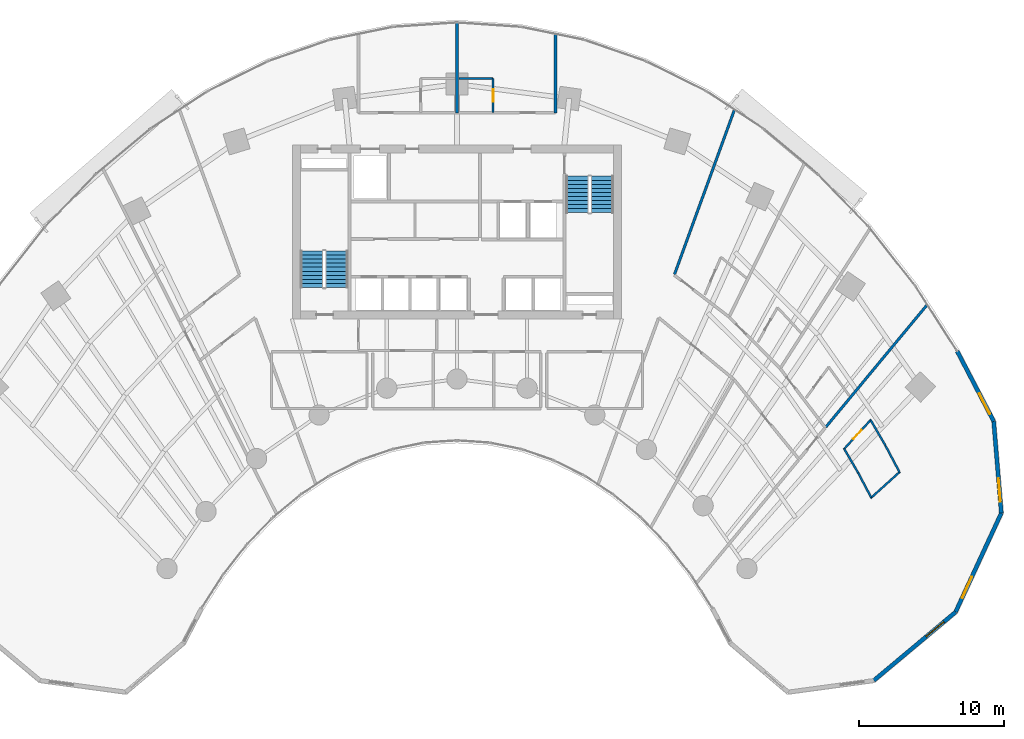
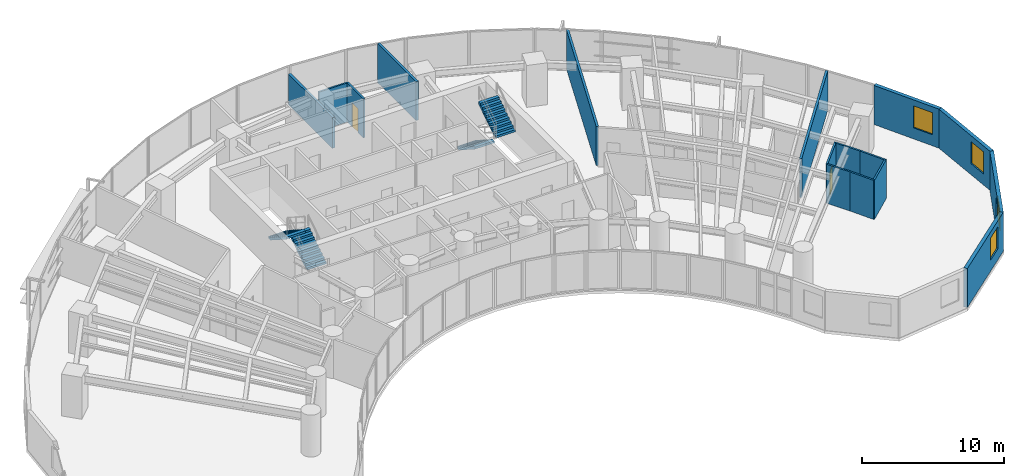
# One storey, part 14 of 17: 16 walls, 4 stair flights, 4 windows, 2 doors, 6 openings, 2 elements without a shape of their own.
"""IFC4 building model written with IfcOpenShell, lengths in metres."""

from ifc_helpers import new_model, si_unit, direction, frame, frame_2d, origin, place, context, subcontext, project, spatial, polyline, rectangle, outline, extrude, source, transform, mapped, material, layer, layer_set, type_object, type_shapes, element, fill, aggregate, save


model = new_model("IFC4")

# Units and contexts
model_context = context("Model", 3, precision=1e-05, world=origin(), true_north=direction((0.0, 1.0)))
body_context = subcontext(model_context, "Body", "Model", "MODEL_VIEW")
ifc_project = project(units=[si_unit("LENGTHUNIT", "METRE"), si_unit("AREAUNIT", "SQUARE_METRE"), si_unit("VOLUMEUNIT", "CUBIC_METRE"), si_unit("PLANEANGLEUNIT", "RADIAN"), si_unit("MASSUNIT", "GRAM", prefix="KILO")], contexts=[model_context])

# Site, building, storey
site_placement = place(None, origin())
site = spatial("IfcSite", under=ifc_project, at=site_placement, CompositionType="ELEMENT")
building_placement = place(site_placement, origin())
building = spatial("IfcBuilding", under=site, at=building_placement, Name="Breltana Convention Tower", CompositionType="ELEMENT")
storey_placement = place(building_placement, frame((0.0, 0.0, 60.60009765625)))
storey = spatial("IfcBuildingStorey", under=building, at=storey_placement, Name="L13", CompositionType="ELEMENT", Elevation=60.60009765625)

# Wall, opening, window
ifc_material_1 = material(Name="Limestone Buff Insulated Wall", Category="masonry")
ifc_layer_1 = layer(ifc_material_1, 0.280029296875, Name="Limestone Buff Insulated Wall")
ifc_layer_set_1 = layer_set([ifc_layer_1], Name="Limestone Buff Insulated Wall")
wall_type_1 = type_object("IfcWallType", Name="WL-EXT-NOSE-280", PredefinedType="SOLIDWALL", material=ifc_layer_set_1)
shared_shape_1 = source(origin(), body_context, "Body", "SweptSolid", [
    extrude(rectangle(XDim=6.3525390625, YDim=0.280029296875, at=frame_2d((3.17626953125, 0.0))), origin(), (0.0, 0.0, 1.0), 3.35986328125),
])
wall_1_placement = place(storey_placement, frame((85.052978515625, 53.1220703125, 0.0), z_axis=(0.0, 0.0, 1.0), x_axis=(0.083319001377, -0.996522926986, 0.0)))
wall_1 = element("IfcWall", 1, at=wall_1_placement, inside=storey, type_object=wall_type_1, Name="L13 curved limestone nose wall E1", PredefinedType="SOLIDWALL", context=body_context, shape_type="MappedRepresentation", body=[
    mapped(shared_shape_1, transform((0.0, 0.0, 0.0), scale=1.0)),
])
opening_1_placement = place(wall_1_placement, frame((3.96435546875, 0.0, 0.949951171875)))
opening_1 = element("IfcOpeningElement", 2, at=opening_1_placement, cuts=wall_1, Name="Opening W-04", PredefinedType="OPENING", context=body_context, shape_type="SweptSolid", body=[
    extrude(rectangle(XDim=1.60009765625, YDim=1.89990234375, at=frame_2d((0.800048828125, 0.949951171875))), frame((0.0, 0.14990234375, 0.0), z_axis=(0.0, -1.0, 0.0), x_axis=(1.0, 0.0, 0.0)), (0.0, 0.0, 1.0), 0.300048828125),
])
ifc_material_2 = material(Name="Glass Low-E Insulated Window", Category="glass")
window_type = type_object("IfcWindowType", Name="WN-NOSE-1600X1900", PartitioningType="SINGLE_PANEL", PredefinedType="WINDOW", material=ifc_material_2)
shared_shape_2 = source(origin(), body_context, "Body", "SweptSolid", [
    extrude(rectangle(XDim=1.60009765625, YDim=1.89990234375, at=frame_2d((0.800048828125, 0.949951171875))), frame((0.0, 0.030029296875, 0.0), z_axis=(0.0, -1.0, 0.0), x_axis=(1.0, 0.0, 0.0)), (0.0, 0.0, 1.0), 0.06005859375),
])
type_shapes(window_type, [shared_shape_2])
window_1_placement = place(opening_1_placement, origin())
window_1 = element("IfcWindow", 3, at=window_1_placement, inside=storey, type_object=window_type, Name="L13 nose window E1", OverallHeight=1.89990234375, OverallWidth=1.60009765625, PartitioningType="SINGLE_PANEL", PredefinedType="WINDOW", context=body_context, shape_type="MappedRepresentation", body=[
    mapped(shared_shape_2, transform((0.0, 0.0, 0.0), scale=1.0)),
])
fill(opening_1, window_1)

shared_shape_3 = source(origin(), body_context, "Body", "SweptSolid", [
    extrude(rectangle(XDim=7.536376953125, YDim=0.280029296875, at=frame_2d((3.76806640625, 0.0))), origin(), (0.0, 0.0, 1.0), 3.35986328125),
])
wall_2_placement = place(storey_placement, frame((85.582275390625, 46.79150390625, 0.0), z_axis=(0.0, 0.0, 1.0), x_axis=(-0.41964973873, -0.907686122393, 0.0)))
wall_2 = element("IfcWall", 4, at=wall_2_placement, inside=storey, type_object=wall_type_1, Name="L13 curved limestone nose wall E2", PredefinedType="SOLIDWALL", context=body_context, shape_type="MappedRepresentation", body=[
    mapped(shared_shape_3, transform((0.0, 0.0, 0.0), scale=1.0)),
])
opening_2_placement = place(wall_2_placement, frame((4.852294921875, 0.0, 0.949951171875)))
opening_2 = element("IfcOpeningElement", 5, at=opening_2_placement, cuts=wall_2, Name="Opening W-04", PredefinedType="OPENING", context=body_context, shape_type="SweptSolid", body=[
    extrude(rectangle(XDim=1.60009765625, YDim=1.89990234375, at=frame_2d((0.800048828125, 0.949951171875))), frame((0.0, 0.14990234375, 0.0), z_axis=(0.0, -1.0, 0.0), x_axis=(1.0, 0.0, 0.0)), (0.0, 0.0, 1.0), 0.300048828125),
])
window_2_placement = place(opening_2_placement, origin())
window_2 = element("IfcWindow", 6, at=window_2_placement, inside=storey, type_object=window_type, Name="L13 nose window E2", OverallHeight=1.89990234375, OverallWidth=1.60009765625, PartitioningType="SINGLE_PANEL", PredefinedType="WINDOW", context=body_context, shape_type="MappedRepresentation", body=[
    mapped(shared_shape_2, transform((0.0, 0.0, 0.0), scale=1.0)),
])
fill(opening_2, window_2)

shared_shape_4 = source(origin(), body_context, "Body", "SweptSolid", [
    extrude(rectangle(XDim=7.35888671875, YDim=0.280029296875, at=frame_2d((3.679443359375, 0.0))), origin(), (0.0, 0.0, 1.0), 3.35986328125),
])
wall_3_placement = place(storey_placement, frame((82.419677734375, 39.950927734375, 0.0), z_axis=(0.0, 0.0, 1.0), x_axis=(-0.766737165543, -0.641961150675, 0.0)))
wall_3 = element("IfcWall", 7, at=wall_3_placement, inside=storey, type_object=wall_type_1, Name="L13 curved limestone nose wall E3", PredefinedType="SOLIDWALL", context=body_context, shape_type="MappedRepresentation", body=[
    mapped(shared_shape_4, transform((0.0, 0.0, 0.0), scale=1.0)),
])
opening_3_placement = place(wall_3_placement, frame((1.039794921875, 0.0, 0.949951171875)))
opening_3 = element("IfcOpeningElement", 8, at=opening_3_placement, cuts=wall_3, Name="Opening W-04", PredefinedType="OPENING", context=body_context, shape_type="SweptSolid", body=[
    extrude(rectangle(XDim=1.60009765625, YDim=1.89990234375, at=frame_2d((0.800048828125, 0.949951171875))), frame((0.0, 0.14990234375, 0.0), z_axis=(0.0, -1.0, 0.0), x_axis=(1.0, 0.0, 0.0)), (0.0, 0.0, 1.0), 0.300048828125),
])
window_3_placement = place(opening_3_placement, origin())
window_3 = element("IfcWindow", 9, at=window_3_placement, inside=storey, type_object=window_type, Name="L13 nose window E3", OverallHeight=1.89990234375, OverallWidth=1.60009765625, PartitioningType="SINGLE_PANEL", PredefinedType="WINDOW", context=body_context, shape_type="MappedRepresentation", body=[
    mapped(shared_shape_2, transform((0.0, 0.0, 0.0), scale=1.0)),
])
fill(opening_3, window_3)

shared_shape_5 = source(origin(), body_context, "Body", "SweptSolid", [
    extrude(rectangle(XDim=5.45947265625, YDim=0.280029296875, at=frame_2d((2.729736328125, 0.0))), origin(), (0.0, 0.0, 1.0), 3.35986328125),
])
wall_4_placement = place(storey_placement, frame((82.531982421875, 57.964599609375, 0.0), z_axis=(0.0, 0.0, 1.0), x_axis=(0.461768054321, -0.887000712518, 0.0)))
wall_4 = element("IfcWall", 10, at=wall_4_placement, inside=storey, type_object=wall_type_1, Name="L13 curved limestone nose wall E7", PredefinedType="SOLIDWALL", context=body_context, shape_type="MappedRepresentation", body=[
    mapped(shared_shape_5, transform((0.0, 0.0, 0.0), scale=1.0)),
])
opening_4_placement = place(wall_4_placement, frame((3.294677734375, 0.0, 0.949951171875)))
opening_4 = element("IfcOpeningElement", 11, at=opening_4_placement, cuts=wall_4, Name="Opening W-04", PredefinedType="OPENING", context=body_context, shape_type="SweptSolid", body=[
    extrude(rectangle(XDim=1.60009765625, YDim=1.89990234375, at=frame_2d((0.800048828125, 0.949951171875))), frame((0.0, 0.14990234375, 0.0), z_axis=(0.0, -1.0, 0.0), x_axis=(1.0, 0.0, 0.0)), (0.0, 0.0, 1.0), 0.300048828125),
])
window_4_placement = place(opening_4_placement, origin())
window_4 = element("IfcWindow", 12, at=window_4_placement, inside=storey, type_object=window_type, Name="L13 nose window E7", OverallHeight=1.89990234375, OverallWidth=1.60009765625, PartitioningType="SINGLE_PANEL", PredefinedType="WINDOW", context=body_context, shape_type="MappedRepresentation", body=[
    mapped(shared_shape_2, transform((0.0, 0.0, 0.0), scale=1.0)),
])
fill(opening_4, window_4)

# Walls
ifc_material_3 = material(Name="Gypsum Acoustic Hotel Wall")
ifc_layer_2 = layer(ifc_material_3, 0.195068359375, Name="Gypsum Acoustic Hotel Wall")
ifc_layer_set_2 = layer_set([ifc_layer_2], Name="Gypsum Acoustic Hotel Wall")
wall_type_2 = type_object("IfcWallType", Name="WL-HOTEL-200", PredefinedType="PARTITIONING", material=ifc_layer_set_2)
shared_shape_6 = source(origin(), body_context, "Body", "SweptSolid", [
    extrude(rectangle(XDim=6.215576171875, YDim=0.195068359375, at=frame_2d((3.10791015625, 0.0))), origin(), (0.0, 0.0, 1.0), 2.643798828125),
])
wall_5_placement = place(storey_placement, frame((48.0, 74.419921875, 0.0), z_axis=(0.0, 0.0, 1.0), x_axis=(0.0, 1.0, 0.0)))
element("IfcWall", 13, at=wall_5_placement, inside=storey, type_object=wall_type_2, Name="L13 interior partition W-L13-GRN-MID", PredefinedType="PARTITIONING", context=body_context, shape_type="MappedRepresentation", body=[
    mapped(shared_shape_6, transform((0.0, 0.0, 0.0), scale=1.0)),
])
shared_shape_7 = source(origin(), body_context, "Body", "SweptSolid", [
    extrude(rectangle(XDim=5.42626953125, YDim=0.195068359375, at=frame_2d((2.713134765625, 0.0))), origin(), (0.0, 0.0, 1.0), 3.35986328125),
])
wall_6_placement = place(storey_placement, frame((54.800048828125, 74.419921875, 0.0), z_axis=(0.0, 0.0, 1.0), x_axis=(0.0, 1.0, 0.0)))
element("IfcWall", 14, at=wall_6_placement, inside=storey, type_object=wall_type_2, Name="L13 interior partition W-L13-GRN2-SD", PredefinedType="PARTITIONING", context=body_context, shape_type="MappedRepresentation", body=[
    mapped(shared_shape_7, transform((0.0, 0.0, 0.0), scale=1.0)),
])
ifc_material_4 = material(Name="Moisture-Resistant En-Suite Partition")
ifc_layer_3 = layer(ifc_material_4, 0.139892578125, Name="Moisture-Resistant En-Suite Partition")
ifc_layer_set_3 = layer_set([ifc_layer_3], Name="Moisture-Resistant En-Suite Partition")
wall_type_3 = type_object("IfcWallType", Name="WL-WET-150", PredefinedType="PARTITIONING", material=ifc_layer_set_3)
shared_shape_8 = source(origin(), body_context, "Body", "SweptSolid", [
    extrude(rectangle(XDim=2.35009765625, YDim=0.139892578125, at=frame_2d((1.175048828125, 0.0))), origin(), (0.0, 0.0, 1.0), 3.35986328125),
])
wall_7_placement = place(storey_placement, frame((48.14990234375, 76.780029296875, 0.0), z_axis=(0.0, 0.0, 1.0), x_axis=(1.0, 0.0, 0.0)))
element("IfcWall", 15, at=wall_7_placement, inside=storey, type_object=wall_type_3, Name="L13 interior partition W-L13-ENSN2-N", PredefinedType="PARTITIONING", context=body_context, shape_type="MappedRepresentation", body=[
    mapped(shared_shape_8, transform((0.0, 0.0, 0.0), scale=1.0)),
])

# Wall, opening, door
shared_shape_9 = source(origin(), body_context, "Body", "SweptSolid", [
    extrude(rectangle(XDim=2.330078125, YDim=0.139892578125, at=frame_2d((1.1650390625, 0.0))), origin(), (0.0, 0.0, 1.0), 3.35986328125),
])
wall_8_placement = place(storey_placement, frame((50.5, 74.449951171875, 0.0), z_axis=(0.0, 0.0, 1.0), x_axis=(0.0, 1.0, 0.0)))
wall_8 = element("IfcWall", 16, at=wall_8_placement, inside=storey, type_object=wall_type_3, Name="L13 interior partition W-L13-ENSN2-SD", PredefinedType="PARTITIONING", context=body_context, shape_type="MappedRepresentation", body=[
    mapped(shared_shape_9, transform((0.0, 0.0, 0.0), scale=1.0)),
])
opening_5_placement = place(wall_8_placement, frame((0.739990234375, 0.0, 0.0)))
opening_5 = element("IfcOpeningElement", 17, at=opening_5_placement, cuts=wall_8, Name="Opening D-21", PredefinedType="OPENING", context=body_context, shape_type="SweptSolid", body=[
    extrude(rectangle(XDim=0.85009765625, YDim=2.050048828125, at=frame_2d((0.425048828125, 1.02490234375))), frame((0.0, 0.080078125, 0.0), z_axis=(0.0, -1.0, 0.0), x_axis=(1.0, 0.0, 0.0)), (0.0, 0.0, 1.0), 0.159912109375),
])
ifc_material_5 = material(Name="Timber Moisture-Resistant En-Suite Door", Category="wood")
door_type = type_object("IfcDoorType", Name="DR-WET-850", OperationType="NOTDEFINED", PredefinedType="DOOR", material=ifc_material_5)
shared_shape_10 = source(origin(), body_context, "Body", "SweptSolid", [
    extrude(rectangle(XDim=0.85009765625, YDim=2.050048828125, at=frame_2d((0.425048828125, 1.02490234375))), frame((0.0, 0.02490234375, 0.0), z_axis=(0.0, -1.0, 0.0), x_axis=(1.0, 0.0, 0.0)), (0.0, 0.0, 1.0), 0.050048828125),
])
type_shapes(door_type, [shared_shape_10])
door_1_placement = place(opening_5_placement, origin())
door_1 = element("IfcDoor", 18, at=door_1_placement, inside=storey, type_object=door_type, Name="L13 interior door D-L13-ENSN2", OperationType="SINGLE_SWING_LEFT", OverallHeight=2.050048828125, OverallWidth=0.85009765625, PredefinedType="DOOR", context=body_context, shape_type="MappedRepresentation", body=[
    mapped(shared_shape_10, transform((0.0, 0.0, 0.0), scale=1.0)),
])
fill(opening_5, door_1)

shared_shape_11 = source(origin(), body_context, "Body", "SweptSolid", [
    extrude(rectangle(XDim=2.812255859375, YDim=0.139892578125, at=frame_2d((1.40625, 0.0))), origin(), (0.0, 0.0, 1.0), 3.35986328125),
])
wall_9_placement = place(storey_placement, frame((74.69677734375, 51.176513671875, 0.0), z_axis=(0.0, 0.0, 1.0), x_axis=(0.675119025852, 0.737708818527, 0.0)))
wall_9 = element("IfcWall", 19, at=wall_9_placement, inside=storey, type_object=wall_type_3, Name="L13 interior partition W-L13-CSENS-E-W", PredefinedType="PARTITIONING", context=body_context, shape_type="MappedRepresentation", body=[
    mapped(shared_shape_11, transform((0.0, 0.0, 0.0), scale=1.0)),
])
opening_6_placement = place(wall_9_placement, frame((0.981201171875, 0.0, 0.0)))
opening_6 = element("IfcOpeningElement", 20, at=opening_6_placement, cuts=wall_9, Name="Opening D-21", PredefinedType="OPENING", context=body_context, shape_type="SweptSolid", body=[
    extrude(rectangle(XDim=0.85009765625, YDim=2.050048828125, at=frame_2d((0.425048828125, 1.02490234375))), frame((0.0, 0.080078125, 0.0), z_axis=(0.0, -1.0, 0.0), x_axis=(1.0, 0.0, 0.0)), (0.0, 0.0, 1.0), 0.159912109375),
])
door_2_placement = place(opening_6_placement, origin())
door_2 = element("IfcDoor", 21, at=door_2_placement, inside=storey, type_object=door_type, Name="L13 interior door D-L13-CSENS-E", OperationType="SINGLE_SWING_RIGHT", OverallHeight=2.050048828125, OverallWidth=0.85009765625, PredefinedType="DOOR", context=body_context, shape_type="MappedRepresentation", body=[
    mapped(shared_shape_10, transform((0.0, 0.0, 0.0), scale=1.0)),
])
fill(opening_6, door_2)

# Walls
shared_shape_12 = source(origin(), body_context, "Body", "SweptSolid", [
    extrude(rectangle(XDim=2.738037109375, YDim=0.139892578125, at=frame_2d((1.369140625, 0.0))), origin(), (0.0, 0.0, 1.0), 3.35986328125),
])
wall_10_placement = place(storey_placement, frame((76.560302734375, 47.81396484375, 0.0), z_axis=(0.0, 0.0, 1.0), x_axis=(0.741873676582, 0.670539669218, 0.0)))
element("IfcWall", 22, at=wall_10_placement, inside=storey, type_object=wall_type_3, Name="L13 interior partition W-L13-CSENS-E-F", PredefinedType="PARTITIONING", context=body_context, shape_type="MappedRepresentation", body=[
    mapped(shared_shape_12, transform((0.0, 0.0, 0.0), scale=1.0)),
])
shared_shape_13 = source(origin(), body_context, "Body", "SweptSolid", [
    extrude(rectangle(XDim=1.936279296875, YDim=0.139892578125, at=frame_2d((0.96826171875, 0.0))), origin(), (0.0, 0.0, 1.0), 3.35986328125),
])
wall_11_placement = place(storey_placement, frame((75.697265625, 49.5634765625, 0.0), z_axis=(0.0, 0.0, 1.0), x_axis=(0.467174971862, -0.884164886017, 0.0)))
element("IfcWall", 23, at=wall_11_placement, inside=storey, type_object=wall_type_3, Name="L13 interior partition W-L13-CSENS-E-B1B", PredefinedType="PARTITIONING", context=body_context, shape_type="MappedRepresentation", body=[
    mapped(shared_shape_13, transform((0.0, 0.0, 0.0), scale=1.0)),
])
shared_shape_14 = source(origin(), body_context, "Body", "SweptSolid", [
    extrude(rectangle(XDim=2.068115234375, YDim=0.139892578125, at=frame_2d((1.0341796875, 0.0))), origin(), (0.0, 0.0, 1.0), 3.35986328125),
])
wall_12_placement = place(storey_placement, frame((77.583740234375, 51.44091796875, 0.0), z_axis=(0.0, 0.0, 1.0), x_axis=(0.467215057643, -0.884143704333, 0.0)))
element("IfcWall", 24, at=wall_12_placement, inside=storey, type_object=wall_type_3, Name="L13 interior partition W-L13-CSENS-E-B2B", PredefinedType="PARTITIONING", context=body_context, shape_type="MappedRepresentation", body=[
    mapped(shared_shape_14, transform((0.0, 0.0, 0.0), scale=1.0)),
])
shared_shape_15 = source(origin(), body_context, "Body", "SweptSolid", [
    extrude(rectangle(XDim=1.914306640625, YDim=0.139892578125, at=frame_2d((0.95703125, 0.0))), origin(), (0.0, 0.0, 1.0), 3.35986328125),
])
wall_13_placement = place(storey_placement, frame((74.735595703125, 51.21875, 0.0), z_axis=(0.0, 0.0, 1.0), x_axis=(0.502347790612, -0.864665656347, 0.0)))
element("IfcWall", 25, at=wall_13_placement, inside=storey, type_object=wall_type_3, Name="L13 interior partition W-L13-CSENS-E-B1A", PredefinedType="PARTITIONING", context=body_context, shape_type="MappedRepresentation", body=[
    mapped(shared_shape_15, transform((0.0, 0.0, 0.0), scale=1.0)),
])
shared_shape_16 = source(origin(), body_context, "Body", "SweptSolid", [
    extrude(rectangle(XDim=2.044677734375, YDim=0.139892578125, at=frame_2d((1.0224609375, 0.0))), origin(), (0.0, 0.0, 1.0), 3.35986328125),
])
wall_14_placement = place(storey_placement, frame((76.556640625, 53.208984375, 0.0), z_axis=(0.0, 0.0, 1.0), x_axis=(0.5023112139, -0.864686905411, 0.0)))
element("IfcWall", 26, at=wall_14_placement, inside=storey, type_object=wall_type_3, Name="L13 interior partition W-L13-CSENS-E-B2A", PredefinedType="PARTITIONING", context=body_context, shape_type="MappedRepresentation", body=[
    mapped(shared_shape_16, transform((0.0, 0.0, 0.0), scale=1.0)),
])
ifc_material_6 = material(Name="Moisture-Resistant Gypsum Chase Wall")
ifc_layer_4 = layer(ifc_material_6, 0.179931640625, Name="Moisture-Resistant Gypsum Chase Wall")
ifc_layer_set_4 = layer_set([ifc_layer_4], Name="Moisture-Resistant Gypsum Chase Wall")
wall_type_4 = type_object("IfcWallType", Name="WL-PLUMB-180", PredefinedType="PLUMBINGWALL", material=ifc_layer_set_4)
shared_shape_17 = source(origin(), body_context, "Body", "SweptSolid", [
    extrude(rectangle(XDim=12.088134765625, YDim=0.179931640625, at=frame_2d((6.0439453125, 0.0))), origin(), (0.0, 0.0, 1.0), 3.35986328125),
])
wall_15_placement = place(storey_placement, frame((63.0185546875, 63.26220703125, 0.0), z_axis=(0.0, 0.0, 1.0), x_axis=(0.34203007529, 0.939689005787, 0.0)))
element("IfcWall", 27, at=wall_15_placement, inside=storey, type_object=wall_type_4, Name="L13 interior partition W-L13-HE01-RA", PredefinedType="PLUMBINGWALL", context=body_context, shape_type="MappedRepresentation", body=[
    mapped(shared_shape_17, transform((0.0, 0.0, 0.0), scale=1.0)),
])
shared_shape_18 = source(origin(), body_context, "Body", "SweptSolid", [
    extrude(rectangle(XDim=10.974609375, YDim=0.179931640625, at=frame_2d((5.4873046875, 0.0))), origin(), (0.0, 0.0, 1.0), 3.35986328125),
])
wall_16_placement = place(storey_placement, frame((73.460205078125, 52.71875, 0.0), z_axis=(0.0, 0.0, 1.0), x_axis=(0.638125265812, 0.769932558821, 0.0)))
element("IfcWall", 28, at=wall_16_placement, inside=storey, type_object=wall_type_4, Name="L13 interior partition W-L13-HE03-RB", PredefinedType="PLUMBINGWALL", context=body_context, shape_type="MappedRepresentation", body=[
    mapped(shared_shape_18, transform((0.0, 0.0, 0.0), scale=1.0)),
])

# Stair, stair flights
ifc_material_7 = material(Name="Concrete C40/50", Category="concrete")
stair_type = type_object("IfcStairType", Name="ST-DOG-1560-R180", PredefinedType="HALF_TURN_STAIR", material=ifc_material_7)
stair_1_placement = place(storey_placement, origin())
stair_1 = element("IfcStair", 29, at=stair_1_placement, inside=storey, type_object=stair_type, Name="L13 Protected Core Exit Stair ST-1", PredefinedType="HALF_TURN_STAIR")
stair_flight_type = type_object("IfcStairFlightType", Name="STF-DOG-1560-N10-R180", PredefinedType="STRAIGHT", material=ifc_material_7)
stair_flight_1_placement = place(storey_placement, frame((39.68994140625, 62.360107421875, 0.0), z_axis=(0.0, 0.0, 1.0), x_axis=(0.0, 1.0, 0.0)))
stair_flight_1 = element("IfcStairFlight", 30, at=stair_flight_1_placement, type_object=stair_flight_type, Name="ST-1 flight 1", NumberOfRisers=10, NumberOfTreads=9, PredefinedType="STRAIGHT", RiserHeight=0.18, TreadLength=0.28, context=body_context, shape_type="SweptSolid", body=[
    extrude(outline(polyline([(0.0, 0.0), (0.0, 0.179931640625), (0.280029296875, 0.179931640625), (0.280029296875, 0.360107421875), (0.56005859375, 0.360107421875), (0.56005859375, 0.5400390625), (0.840087890625, 0.5400390625), (0.840087890625, 0.719970703125), (1.1201171875, 0.719970703125), (1.1201171875, 0.89990234375), (1.39990234375, 0.89990234375), (1.39990234375, 1.080078125), (1.679931640625, 1.080078125), (1.679931640625, 1.260009765625), (1.9599609375, 1.260009765625), (1.9599609375, 1.43994140625), (2.239990234375, 1.43994140625), (2.239990234375, 1.6201171875), (2.52001953125, 1.6201171875), (2.52001953125, 1.800048828125), (2.52001953125, 1.44189453125), (0.277099609375, 0.0), (0.0, 0.0)])), frame((0.0, 0.780029296875, 0.0), z_axis=(0.0, -1.0, 0.0), x_axis=(1.0, 0.0, 0.0)), (0.0, 0.0, 1.0), 1.56005859375),
])
stair_flight_2_placement = place(storey_placement, frame((37.97998046875, 64.8798828125, 1.7998046875), z_axis=(0.0, 0.0, 1.0), x_axis=(0.0, -1.0, 0.0)))
stair_flight_2 = element("IfcStairFlight", 31, at=stair_flight_2_placement, type_object=stair_flight_type, Name="ST-1 flight 2", NumberOfRisers=10, NumberOfTreads=9, PredefinedType="STRAIGHT", RiserHeight=0.18, TreadLength=0.28, context=body_context, shape_type="SweptSolid", body=[
    extrude(outline(polyline([(0.0, 0.0), (0.0, 0.179931640625), (0.280029296875, 0.179931640625), (0.280029296875, 0.360107421875), (0.56005859375, 0.360107421875), (0.56005859375, 0.5400390625), (0.840087890625, 0.5400390625), (0.840087890625, 0.719970703125), (1.1201171875, 0.719970703125), (1.1201171875, 0.89990234375), (1.39990234375, 0.89990234375), (1.39990234375, 1.080078125), (1.679931640625, 1.080078125), (1.679931640625, 1.260009765625), (1.9599609375, 1.260009765625), (1.9599609375, 1.43994140625), (2.239990234375, 1.43994140625), (2.239990234375, 1.6201171875), (2.52001953125, 1.6201171875), (2.52001953125, 1.800048828125), (2.52001953125, 1.44189453125), (0.277099609375, 0.0), (0.0, 0.0)])), frame((0.0, 0.780029296875, 0.0), z_axis=(0.0, -1.0, 0.0), x_axis=(1.0, 0.0, 0.0)), (0.0, 0.0, 1.0), 1.56005859375),
])
aggregate(stair_1, [stair_flight_1, stair_flight_2])

stair_2_placement = place(storey_placement, origin())
stair_2 = element("IfcStair", 32, at=stair_2_placement, inside=storey, type_object=stair_type, Name="L13 Protected Core Exit Stair ST-2", PredefinedType="HALF_TURN_STAIR")
stair_flight_3_placement = place(storey_placement, frame((56.31005859375, 70.0400390625, 0.0), z_axis=(0.0, 0.0, 1.0), x_axis=(0.0, -1.0, 0.0)))
stair_flight_3 = element("IfcStairFlight", 33, at=stair_flight_3_placement, type_object=stair_flight_type, Name="ST-2 flight 1", NumberOfRisers=10, NumberOfTreads=9, PredefinedType="STRAIGHT", RiserHeight=0.18, TreadLength=0.28, context=body_context, shape_type="SweptSolid", body=[
    extrude(outline(polyline([(0.0, 0.0), (0.0, 0.179931640625), (0.280029296875, 0.179931640625), (0.280029296875, 0.360107421875), (0.56005859375, 0.360107421875), (0.56005859375, 0.5400390625), (0.840087890625, 0.5400390625), (0.840087890625, 0.719970703125), (1.1201171875, 0.719970703125), (1.1201171875, 0.89990234375), (1.39990234375, 0.89990234375), (1.39990234375, 1.080078125), (1.679931640625, 1.080078125), (1.679931640625, 1.260009765625), (1.9599609375, 1.260009765625), (1.9599609375, 1.43994140625), (2.239990234375, 1.43994140625), (2.239990234375, 1.6201171875), (2.52001953125, 1.6201171875), (2.52001953125, 1.800048828125), (2.52001953125, 1.44189453125), (0.277099609375, 0.0), (0.0, 0.0)])), frame((0.0, 0.780029296875, 0.0), z_axis=(0.0, -1.0, 0.0), x_axis=(1.0, 0.0, 0.0)), (0.0, 0.0, 1.0), 1.56005859375),
])
stair_flight_4_placement = place(storey_placement, frame((58.02001953125, 67.52001953125, 1.7998046875), z_axis=(0.0, 0.0, 1.0), x_axis=(0.0, 1.0, 0.0)))
stair_flight_4 = element("IfcStairFlight", 34, at=stair_flight_4_placement, type_object=stair_flight_type, Name="ST-2 flight 2", NumberOfRisers=10, NumberOfTreads=9, PredefinedType="STRAIGHT", RiserHeight=0.18, TreadLength=0.28, context=body_context, shape_type="SweptSolid", body=[
    extrude(outline(polyline([(0.0, 0.0), (0.0, 0.179931640625), (0.280029296875, 0.179931640625), (0.280029296875, 0.360107421875), (0.56005859375, 0.360107421875), (0.56005859375, 0.5400390625), (0.840087890625, 0.5400390625), (0.840087890625, 0.719970703125), (1.1201171875, 0.719970703125), (1.1201171875, 0.89990234375), (1.39990234375, 0.89990234375), (1.39990234375, 1.080078125), (1.679931640625, 1.080078125), (1.679931640625, 1.260009765625), (1.9599609375, 1.260009765625), (1.9599609375, 1.43994140625), (2.239990234375, 1.43994140625), (2.239990234375, 1.6201171875), (2.52001953125, 1.6201171875), (2.52001953125, 1.800048828125), (2.52001953125, 1.44189453125), (0.277099609375, 0.0), (0.0, 0.0)])), frame((0.0, 0.780029296875, 0.0), z_axis=(0.0, -1.0, 0.0), x_axis=(1.0, 0.0, 0.0)), (0.0, 0.0, 1.0), 1.56005859375),
])
aggregate(stair_2, [stair_flight_3, stair_flight_4])

save(model, "model.ifc")
